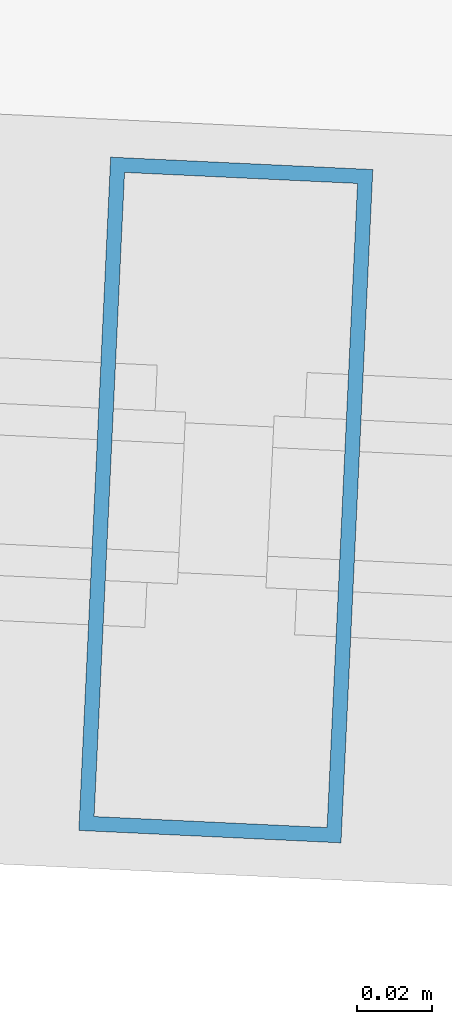
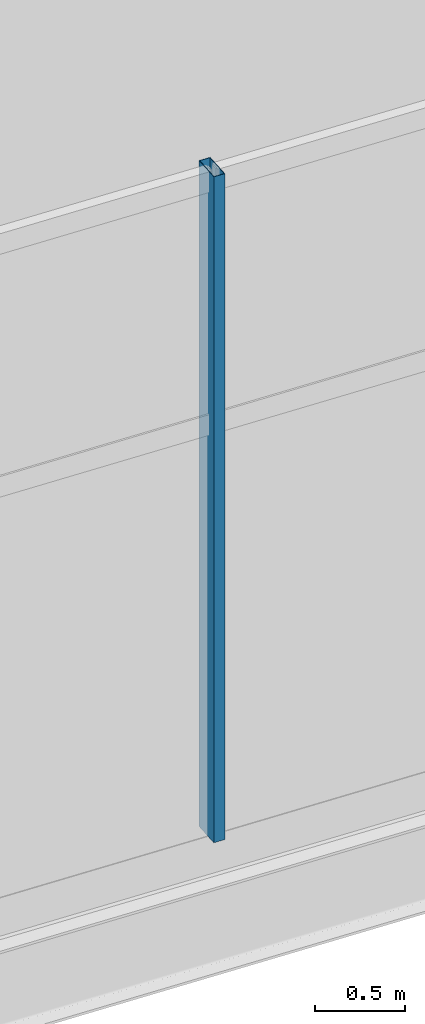
# One storey, part 29 of 186: 1 member, 1 element without a shape of its own.
"""IFC4 building model written with IfcOpenShell, lengths in metres."""

from ifc_helpers import new_model, si_unit, direction, frame, origin, origin_2d, place, context, subcontext, project, spatial, hollow_rectangle, extrude, material, layer, layer_set, material_profile, profile_set, type_object, element, aggregate, save


model = new_model("IFC4")

# Units and contexts
model_context = context("Model", 3, precision=1e-05, world=origin(), true_north=direction((0.0, 1.0)))
body_context = subcontext(model_context, "Body", "Model", "MODEL_VIEW")
ifc_project = project(units=[si_unit("LENGTHUNIT", "METRE"), si_unit("AREAUNIT", "SQUARE_METRE"), si_unit("VOLUMEUNIT", "CUBIC_METRE"), si_unit("PLANEANGLEUNIT", "RADIAN"), si_unit("MASSUNIT", "GRAM", prefix="KILO")], contexts=[model_context])

# Site, building, storey
site_placement = place(None, origin())
site = spatial("IfcSite", under=ifc_project, at=site_placement, CompositionType="ELEMENT")
building_placement = place(site_placement, origin())
building = spatial("IfcBuilding", under=site, at=building_placement, Name="Kazemori Nagisa Stadium", CompositionType="ELEMENT")
storey_placement = place(building_placement, frame((0.0, 0.0, 20.39990234375)))
storey = spatial("IfcBuildingStorey", under=building, at=storey_placement, Name="L04", CompositionType="ELEMENT", Elevation=20.39990234375)

# Curtain wall, member
ifc_material_1 = material(Name="Anodised aluminium 6063-T5", Category="aluminium")
ifc_layer = layer(ifc_material_1, 0.179931640625, Name="Anodised aluminium 6063-T5", Category="aluminium")
ifc_layer_set = layer_set([ifc_layer], Name="Anodised aluminium 6063-T5")
curtain_wall_type = type_object("IfcCurtainWallType", Name="CW_L04R3_105", PredefinedType="USERDEFINED", material=ifc_layer_set)
curtain_wall_placement = place(storey_placement, origin())
curtain_wall = element("IfcCurtainWall", 1, at=curtain_wall_placement, inside=storey, type_object=curtain_wall_type, Name="Unitised curtain wall CW-L04R3-105 L04", ObjectType="UNITISED CURTAIN WALL", PredefinedType="USERDEFINED")
ifc_material_2 = material(Name="Aluminium 6063-T5 anodised", Category="aluminium")
ifc_material_profile = material_profile(ifc_material_2, hollow_rectangle(XDim=0.070068359375, YDim=0.179931640625, WallThickness=0.00390625, at=origin_2d()), Name="ALU-MULL-70x180x4")
ifc_profile_set = profile_set([ifc_material_profile], Name="Aluminium 6063-T5 anodised")
member_type = type_object("IfcMemberType", Name="Mullion_M01", PredefinedType="MULLION", material=ifc_profile_set)
member_placement = place(storey_placement, frame((108.7998046875, 16.67138671875, 0.0), z_axis=(0.0, 0.0, 1.0), x_axis=(0.998884022476, -0.047230388971, 0.0)))
member = element("IfcMember", 2, at=member_placement, type_object=member_type, Name="Curtain wall mullion CW-L04R3-105-M2", PredefinedType="MULLION", context=body_context, shape_type="SweptSolid", body=[
    extrude(hollow_rectangle(XDim=0.070068359375, YDim=0.179931640625, WallThickness=0.00390625, at=origin_2d()), origin(), (0.0, 0.0, 1.0), 4.530029296875),
])
aggregate(curtain_wall, [member])

save(model, "model.ifc")
